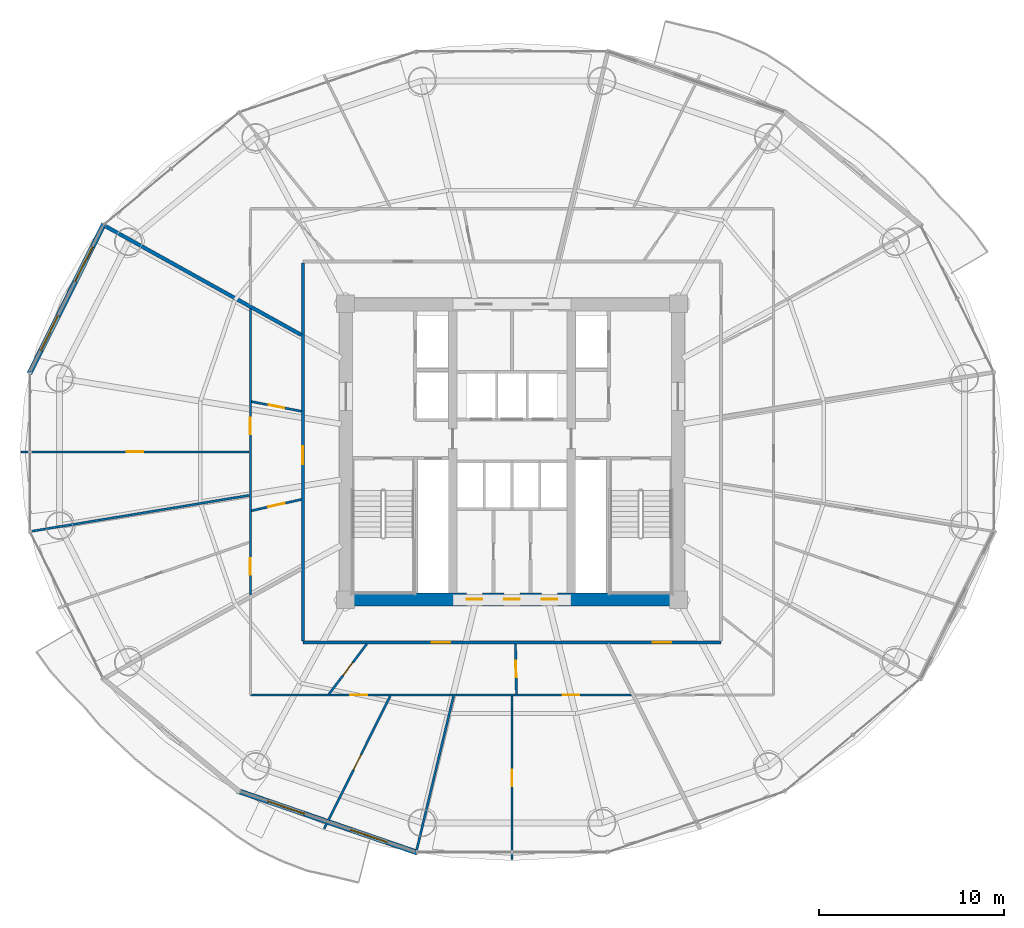
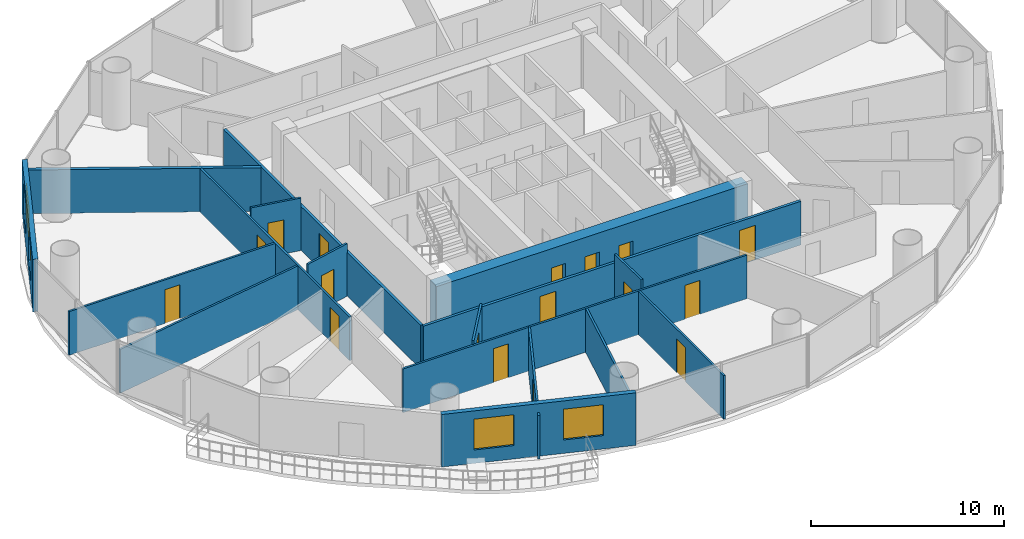
# One storey, part 21 of 28: 17 doors, 17 walls, 4 windows, 21 openings.
"""IFC4 building model written with IfcOpenShell, lengths in metres."""

from ifc_helpers import new_model, si_unit, direction, frame, frame_2d, origin, place, context, subcontext, project, spatial, rectangle, extrude, source, transform, mapped, material, layer, layer_set, type_object, element, fill, save


model = new_model("IFC4")

# Units and contexts
model_context = context("Model", 3, precision=1e-05, world=origin(), true_north=direction((-0.2419218956, 0.970295726276)))
body_context = subcontext(model_context, "Body", "Model", "MODEL_VIEW")
ifc_project = project(units=[si_unit("LENGTHUNIT", "METRE"), si_unit("AREAUNIT", "SQUARE_METRE"), si_unit("VOLUMEUNIT", "CUBIC_METRE"), si_unit("PLANEANGLEUNIT", "RADIAN"), si_unit("MASSUNIT", "GRAM", prefix="KILO")], contexts=[model_context])

# Site, building, storey
site_placement = place(None, origin())
site = spatial("IfcSite", under=ifc_project, at=site_placement, CompositionType="ELEMENT")
building_placement = place(site_placement, origin())
building = spatial("IfcBuilding", under=site, at=building_placement, Name="Cobrevalo Terracotta Tower", CompositionType="ELEMENT")
storey_placement = place(building_placement, frame((0.0, 0.0, 105.0)))
storey = spatial("IfcBuildingStorey", under=building, at=storey_placement, Name="L27", CompositionType="ELEMENT", Elevation=105.0)

# Wall, openings, doors
ifc_material_1 = material(Name="Concrete C60", Category="concrete")
ifc_layer_1 = layer(ifc_material_1, 0.699951171875)
ifc_layer_set_1 = layer_set([ifc_layer_1], Name="Concrete C60")
wall_type_1 = type_object("IfcWallType", Name="Core shear wall 700 mm Concrete C60", PredefinedType="SHEAR", material=ifc_layer_set_1)
wall_1_placement = place(storey_placement, frame((28.675048828125, 18.824951171875, 0.0), z_axis=(0.0, 0.0, 1.0), x_axis=(1.0, 0.0, 0.0)))
wall_1 = element("IfcWall", 1, at=wall_1_placement, inside=storey, type_object=wall_type_1, Name="L27 south core shear wall", PredefinedType="SHEAR", context=body_context, shape_type="SweptSolid", body=[
    extrude(rectangle(XDim=18.64990234375, YDim=0.699951171875, at=frame_2d((9.324951171875, 0.0))), origin(), (0.0, 0.0, 1.0), 3.324951171875),
])
opening_1_placement = place(wall_1_placement, frame((6.87744140625, 0.0, 0.0)))
opening_1 = element("IfcOpeningElement", 2, at=opening_1_placement, cuts=wall_1, Name="Opening ID-22", PredefinedType="OPENING", context=body_context, shape_type="SweptSolid", body=[
    extrude(rectangle(XDim=0.85009765625, YDim=2.10009765625, at=frame_2d((0.425048828125, 1.050048828125))), frame((0.0, 0.35986328125, 0.0), z_axis=(0.0, -1.0, 0.0), x_axis=(1.0, 0.0, 0.0)), (0.0, 0.0, 1.0), 0.719970703125),
])
opening_2_placement = place(wall_1_placement, frame((8.89990234375, 0.0, 0.0)))
opening_2 = element("IfcOpeningElement", 3, at=opening_2_placement, cuts=wall_1, Name="Opening ID-22", PredefinedType="OPENING", context=body_context, shape_type="SweptSolid", body=[
    extrude(rectangle(XDim=0.85009765625, YDim=2.10009765625, at=frame_2d((0.425048828125, 1.050048828125))), frame((0.0, 0.35986328125, 0.0), z_axis=(0.0, -1.0, 0.0), x_axis=(1.0, 0.0, 0.0)), (0.0, 0.0, 1.0), 0.719970703125),
])
opening_3_placement = place(wall_1_placement, frame((10.922607421875, 0.0, 0.0)))
opening_3 = element("IfcOpeningElement", 4, at=opening_3_placement, cuts=wall_1, Name="Opening ID-22", PredefinedType="OPENING", context=body_context, shape_type="SweptSolid", body=[
    extrude(rectangle(XDim=0.85009765625, YDim=2.10009765625, at=frame_2d((0.425048828125, 1.050048828125))), frame((0.0, 0.35986328125, 0.0), z_axis=(0.0, -1.0, 0.0), x_axis=(1.0, 0.0, 0.0)), (0.0, 0.0, 1.0), 0.719970703125),
])
ifc_material_2 = material(Name="Powder-coated steel", Category="steel")
door_type_1 = type_object("IfcDoorType", Name="Riser shaft & meter closet fire access door 850x2100 EI 60", OperationType="NOTDEFINED", PredefinedType="DOOR", material=ifc_material_2)
shared_shape_1 = source(origin(), body_context, "Body", "SweptSolid", [
    extrude(rectangle(XDim=0.85009765625, YDim=2.10009765625, at=frame_2d((0.425048828125, 1.050048828125))), frame((0.0, 0.02490234375, 0.0), z_axis=(0.0, -1.0, 0.0), x_axis=(1.0, 0.0, 0.0)), (0.0, 0.0, 1.0), 0.050048828125),
])
door_1_placement = place(opening_1_placement, origin())
door_1 = element("IfcDoor", 5, at=door_1_placement, inside=storey, type_object=door_type_1, Name="L27 core south plant door HVAC Supply Air Plant", OperationType="SINGLE_SWING_RIGHT", OverallHeight=2.10009765625, OverallWidth=0.85009765625, PredefinedType="DOOR", context=body_context, shape_type="MappedRepresentation", body=[
    mapped(shared_shape_1, transform((0.0, 0.0, 0.0), scale=1.0)),
])
fill(opening_1, door_1)
door_2_placement = place(opening_2_placement, origin())
door_2 = element("IfcDoor", 6, at=door_2_placement, inside=storey, type_object=door_type_1, Name="L27 core south plant door Refuse Chute Store Room", OperationType="SINGLE_SWING_RIGHT", OverallHeight=2.10009765625, OverallWidth=0.85009765625, PredefinedType="DOOR", context=body_context, shape_type="MappedRepresentation", body=[
    mapped(shared_shape_1, transform((0.0, 0.0, 0.0), scale=1.0)),
])
fill(opening_2, door_2)
door_3_placement = place(opening_3_placement, origin())
door_3 = element("IfcDoor", 7, at=door_3_placement, inside=storey, type_object=door_type_1, Name="L27 core south plant door Hydronic Pump Manifold Plant", OperationType="SINGLE_SWING_RIGHT", OverallHeight=2.10009765625, OverallWidth=0.85009765625, PredefinedType="DOOR", context=body_context, shape_type="MappedRepresentation", body=[
    mapped(shared_shape_1, transform((0.0, 0.0, 0.0), scale=1.0)),
])
fill(opening_3, door_3)

ifc_material_3 = material(Name="Gypsum board on steel stud", Category="steel")
ifc_layer_2 = layer(ifc_material_3, 0.159912109375)
ifc_layer_set_2 = layer_set([ifc_layer_2], Name="Gypsum board on steel stud")
wall_type_2 = type_object("IfcWallType", Name="Fire-rated corridor acoustic partition wall 160 mm", PredefinedType="PARTITIONING", material=ifc_layer_set_2)
wall_2_placement = place(storey_placement, frame((26.695068359375, 16.4951171875, 0.0), z_axis=(0.0, 0.0, 1.0), x_axis=(1.0, 0.0, 0.0)))
wall_2 = element("IfcWall", 8, at=wall_2_placement, inside=storey, type_object=wall_type_2, Name="L27 interior partition IW-L27-COR-S", PredefinedType="PARTITIONING", context=body_context, shape_type="SweptSolid", body=[
    extrude(rectangle(XDim=22.60986328125, YDim=0.159912109375, at=frame_2d((11.304931640625, 0.0))), origin(), (0.0, 0.0, 1.0), 2.76708984375),
])
opening_4_placement = place(wall_2_placement, frame((6.974365234375, 0.0, 0.0)))
opening_4 = element("IfcOpeningElement", 9, at=opening_4_placement, cuts=wall_2, Name="Opening ID-05", PredefinedType="OPENING", context=body_context, shape_type="SweptSolid", body=[
    extrude(rectangle(XDim=0.97998046875, YDim=2.199951171875, at=frame_2d((0.489990234375, 1.10009765625))), frame((0.0, 0.08984375, 0.0), z_axis=(0.0, -1.0, 0.0), x_axis=(1.0, 0.0, 0.0)), (0.0, 0.0, 1.0), 0.179931640625),
])
opening_5_placement = place(wall_2_placement, frame((18.922119140625, 0.0, 0.0)))
opening_5 = element("IfcOpeningElement", 10, at=opening_5_placement, cuts=wall_2, Name="Opening ID-05", PredefinedType="OPENING", context=body_context, shape_type="SweptSolid", body=[
    extrude(rectangle(XDim=0.97998046875, YDim=2.199951171875, at=frame_2d((0.489990234375, 1.10009765625))), frame((0.0, 0.08984375, 0.0), z_axis=(0.0, -1.0, 0.0), x_axis=(1.0, 0.0, 0.0)), (0.0, 0.0, 1.0), 0.179931640625),
])
ifc_material_4 = material(Name="Solid hardwood timber", Category="wood")
door_type_2 = type_object("IfcDoorType", Name="Residence entrance fire-rated acoustic timber door 980x2200 EI 60", OperationType="NOTDEFINED", PredefinedType="DOOR", material=ifc_material_4)
shared_shape_2 = source(origin(), body_context, "Body", "SweptSolid", [
    extrude(rectangle(XDim=0.97998046875, YDim=2.199951171875, at=frame_2d((0.489990234375, 1.10009765625))), frame((0.0, 0.02490234375, 0.0), z_axis=(0.0, -1.0, 0.0), x_axis=(1.0, 0.0, 0.0)), (0.0, 0.0, 1.0), 0.050048828125),
])
door_4_placement = place(opening_4_placement, frame((0.97998046875, 0.0, 0.0), z_axis=(0.0, 0.0, 1.0), x_axis=(-1.0, 0.0, 0.0)))
door_4 = element("IfcDoor", 11, at=door_4_placement, inside=storey, type_object=door_type_2, Name="Flat L27D fire-rated apartment entrance door", OperationType="SINGLE_SWING_RIGHT", OverallHeight=2.199951171875, OverallWidth=0.97998046875, PredefinedType="DOOR", context=body_context, shape_type="MappedRepresentation", body=[
    mapped(shared_shape_2, transform((0.0, 0.0, 0.0), scale=1.0)),
])
fill(opening_4, door_4)
door_5_placement = place(opening_5_placement, frame((0.97998046875, 0.0, 0.0), z_axis=(0.0, 0.0, 1.0), x_axis=(-1.0, 0.0, 0.0)))
door_5 = element("IfcDoor", 12, at=door_5_placement, inside=storey, type_object=door_type_2, Name="Flat L27E fire-rated apartment entrance door", OperationType="SINGLE_SWING_LEFT", OverallHeight=2.199951171875, OverallWidth=0.97998046875, PredefinedType="DOOR", context=body_context, shape_type="MappedRepresentation", body=[
    mapped(shared_shape_2, transform((0.0, 0.0, 0.0), scale=1.0)),
])
fill(opening_5, door_5)

# Wall, opening, door
wall_3_placement = place(storey_placement, frame((26.695068359375, 16.574951171875, 0.0), z_axis=(0.0, 0.0, 1.0), x_axis=(0.0, 1.0, 0.0)))
wall_3 = element("IfcWall", 13, at=wall_3_placement, inside=storey, type_object=wall_type_2, Name="L27 interior partition IW-L27-COR-W", PredefinedType="PARTITIONING", context=body_context, shape_type="SweptSolid", body=[
    extrude(rectangle(XDim=20.449951171875, YDim=0.159912109375, at=frame_2d((10.22509765625, 0.0))), origin(), (0.0, 0.0, 1.0), 2.76708984375),
])
opening_6_placement = place(wall_3_placement, frame((9.54736328125, 0.0, 0.0)))
opening_6 = element("IfcOpeningElement", 14, at=opening_6_placement, cuts=wall_3, Name="Opening ID-05", PredefinedType="OPENING", context=body_context, shape_type="SweptSolid", body=[
    extrude(rectangle(XDim=0.97998046875, YDim=2.199951171875, at=frame_2d((0.489990234375, 1.10009765625))), frame((0.0, 0.08984375, 0.0), z_axis=(0.0, -1.0, 0.0), x_axis=(1.0, 0.0, 0.0)), (0.0, 0.0, 1.0), 0.179931640625),
])
door_6_placement = place(opening_6_placement, origin())
door_6 = element("IfcDoor", 15, at=door_6_placement, inside=storey, type_object=door_type_2, Name="Flat L27C fire-rated apartment entrance door", OperationType="SINGLE_SWING_LEFT", OverallHeight=2.199951171875, OverallWidth=0.97998046875, PredefinedType="DOOR", context=body_context, shape_type="MappedRepresentation", body=[
    mapped(shared_shape_2, transform((0.0, 0.0, 0.0), scale=1.0)),
])
fill(opening_6, door_6)

# Wall
ifc_material_5 = material(Name="Autoclaved aerated concrete block", Category="concrete")
ifc_layer_3 = layer(ifc_material_5, 0.199951171875)
ifc_layer_set_3 = layer_set([ifc_layer_3], Name="Autoclaved aerated concrete block")
wall_type_3 = type_object("IfcWallType", Name="Fire-rated stair, shaft & demising masonry wall 200 mm", PredefinedType="PARTITIONING", material=ifc_layer_set_3)
wall_4_placement = place(storey_placement, frame((26.614990234375, 33.120361328125, 0.0), z_axis=(0.0, 0.0, 1.0), x_axis=(-0.874319192772, 0.485351366692, 0.0)))
element("IfcWall", 16, at=wall_4_placement, inside=storey, type_object=wall_type_3, Name="L27 interior partition IW-L27-DEM-3", PredefinedType="PARTITIONING", context=body_context, shape_type="SweptSolid", body=[
    extrude(rectangle(XDim=12.158447265625, YDim=0.199951171875, at=frame_2d((6.0791015625, 0.0))), origin(), (0.0, 0.0, 1.0), 2.76708984375),
])

# Wall, openings, windows
ifc_layer_4 = layer(ifc_material_5, 0.280029296875)
ifc_layer_set_4 = layer_set([ifc_layer_4], Name="Autoclaved aerated concrete block")
wall_type_4 = type_object("IfcWallType", Name="Insulated tower spandrel & pier wall 280 mm with terracotta rainscreen", PredefinedType="SOLIDWALL", material=ifc_layer_set_4)
wall_5_placement = place(storey_placement, frame((15.943603515625, 39.133056640625, 0.0), z_axis=(0.0, 0.0, 1.0), x_axis=(-0.446263788661, -0.894901464369, 0.0)))
wall_5 = element("IfcWall", 17, at=wall_5_placement, inside=storey, type_object=wall_type_4, Name="L27 terracotta rainscreen pier wall S07", PredefinedType="SOLIDWALL", context=body_context, shape_type="SweptSolid", body=[
    extrude(rectangle(XDim=9.05029296875, YDim=0.280029296875, at=frame_2d((4.525146484375, 0.0))), origin(), (0.0, 0.0, 1.0), 3.324951171875),
])
opening_7_placement = place(wall_5_placement, frame((1.3935546875, 0.0, 0.85009765625)))
opening_7 = element("IfcOpeningElement", 18, at=opening_7_placement, cuts=wall_5, Name="Opening WN-10", PredefinedType="OPENING", context=body_context, shape_type="SweptSolid", body=[
    extrude(rectangle(XDim=2.10009765625, YDim=1.949951171875, at=frame_2d((1.050048828125, 0.97509765625))), frame((0.0, 0.14990234375, 0.0), z_axis=(0.0, -1.0, 0.0), x_axis=(1.0, 0.0, 0.0)), (0.0, 0.0, 1.0), 0.300048828125),
])
opening_8_placement = place(wall_5_placement, frame((5.556640625, 0.0, 0.85009765625)))
opening_8 = element("IfcOpeningElement", 19, at=opening_8_placement, cuts=wall_5, Name="Opening WN-10", PredefinedType="OPENING", context=body_context, shape_type="SweptSolid", body=[
    extrude(rectangle(XDim=2.10009765625, YDim=1.949951171875, at=frame_2d((1.050048828125, 0.97509765625))), frame((0.0, 0.14990234375, 0.0), z_axis=(0.0, -1.0, 0.0), x_axis=(1.0, 0.0, 0.0)), (0.0, 0.0, 1.0), 0.300048828125),
])
ifc_material_6 = material(Name="Solar-control low-E double glazing", Category="glass")
window_type = type_object("IfcWindowType", Name="Wide panoramic low-E aluminium window 2100x1950", PartitioningType="SINGLE_PANEL", PredefinedType="WINDOW", material=ifc_material_6)
shared_shape_3 = source(origin(), body_context, "Body", "SweptSolid", [
    extrude(rectangle(XDim=2.10009765625, YDim=1.949951171875, at=frame_2d((1.050048828125, 0.97509765625))), frame((0.0, 0.030029296875, 0.0), z_axis=(0.0, -1.0, 0.0), x_axis=(1.0, 0.0, 0.0)), (0.0, 0.0, 1.0), 0.06005859375),
])
window_1_placement = place(opening_7_placement, origin())
window_1 = element("IfcWindow", 20, at=window_1_placement, inside=storey, type_object=window_type, Name="L27 suite window S07A", OverallHeight=1.949951171875, OverallWidth=2.10009765625, PartitioningType="SINGLE_PANEL", PredefinedType="WINDOW", context=body_context, shape_type="MappedRepresentation", body=[
    mapped(shared_shape_3, transform((0.0, 0.0, 0.0), scale=1.0)),
])
fill(opening_7, window_1)
window_2_placement = place(opening_8_placement, origin())
window_2 = element("IfcWindow", 21, at=window_2_placement, inside=storey, type_object=window_type, Name="L27 suite window S07B", OverallHeight=1.949951171875, OverallWidth=2.10009765625, PartitioningType="SINGLE_PANEL", PredefinedType="WINDOW", context=body_context, shape_type="MappedRepresentation", body=[
    mapped(shared_shape_3, transform((0.0, 0.0, 0.0), scale=1.0)),
])
fill(opening_8, window_2)

wall_6_placement = place(storey_placement, frame((23.162841796875, 8.4755859375, 0.0), z_axis=(0.0, 0.0, 1.0), x_axis=(0.945590132341, -0.325360264351, 0.0)))
wall_6 = element("IfcWall", 22, at=wall_6_placement, inside=storey, type_object=wall_type_4, Name="L27 terracotta rainscreen pier wall S11", PredefinedType="SOLIDWALL", context=body_context, shape_type="SweptSolid", body=[
    extrude(rectangle(XDim=10.2890625, YDim=0.280029296875, at=frame_2d((5.14453125, 0.0))), origin(), (0.0, 0.0, 1.0), 3.324951171875),
])
opening_9_placement = place(wall_6_placement, frame((1.72802734375, 0.0, 0.85009765625)))
opening_9 = element("IfcOpeningElement", 23, at=opening_9_placement, cuts=wall_6, Name="Opening WN-10", PredefinedType="OPENING", context=body_context, shape_type="SweptSolid", body=[
    extrude(rectangle(XDim=2.10009765625, YDim=1.949951171875, at=frame_2d((1.050048828125, 0.97509765625))), frame((0.0, 0.14990234375, 0.0), z_axis=(0.0, -1.0, 0.0), x_axis=(1.0, 0.0, 0.0)), (0.0, 0.0, 1.0), 0.300048828125),
])
opening_10_placement = place(wall_6_placement, frame((6.4609375, 0.0, 0.85009765625)))
opening_10 = element("IfcOpeningElement", 24, at=opening_10_placement, cuts=wall_6, Name="Opening WN-10", PredefinedType="OPENING", context=body_context, shape_type="SweptSolid", body=[
    extrude(rectangle(XDim=2.10009765625, YDim=1.949951171875, at=frame_2d((1.050048828125, 0.97509765625))), frame((0.0, 0.14990234375, 0.0), z_axis=(0.0, -1.0, 0.0), x_axis=(1.0, 0.0, 0.0)), (0.0, 0.0, 1.0), 0.300048828125),
])
window_3_placement = place(opening_9_placement, origin())
window_3 = element("IfcWindow", 25, at=window_3_placement, inside=storey, type_object=window_type, Name="L27 suite window S11A", OverallHeight=1.949951171875, OverallWidth=2.10009765625, PartitioningType="SINGLE_PANEL", PredefinedType="WINDOW", context=body_context, shape_type="MappedRepresentation", body=[
    mapped(shared_shape_3, transform((0.0, 0.0, 0.0), scale=1.0)),
])
fill(opening_9, window_3)
window_4_placement = place(opening_10_placement, origin())
window_4 = element("IfcWindow", 26, at=window_4_placement, inside=storey, type_object=window_type, Name="L27 suite window S11B", OverallHeight=1.949951171875, OverallWidth=2.10009765625, PartitioningType="SINGLE_PANEL", PredefinedType="WINDOW", context=body_context, shape_type="MappedRepresentation", body=[
    mapped(shared_shape_3, transform((0.0, 0.0, 0.0), scale=1.0)),
])
fill(opening_10, window_4)

# Wall, openings, doors
ifc_layer_5 = layer(ifc_material_3, 0.1201171875)
ifc_layer_set_5 = layer_set([ifc_layer_5], Name="Gypsum board on steel stud")
wall_type_5 = type_object("IfcWallType", Name="Residential internal acoustic stud partition 120 mm", PredefinedType="PARTITIONING", material=ifc_layer_set_5)
wall_7_placement = place(storey_placement, frame((23.85498046875, 19.049560546875, 0.0), z_axis=(0.0, 0.0, 1.0), x_axis=(0.0, 1.0, 0.0)))
wall_7 = element("IfcWall", 27, at=wall_7_placement, inside=storey, type_object=wall_type_5, Name="L27 interior partition IW-L27-U3-RING0_0", PredefinedType="PARTITIONING", context=body_context, shape_type="SweptSolid", body=[
    extrude(rectangle(XDim=15.5009765625, YDim=0.1201171875, at=frame_2d((7.75048828125, 0.0))), origin(), (0.0, 0.0, 1.0), 2.76708984375),
])
opening_11_placement = place(wall_7_placement, frame((8.704833984375, 0.0, 0.0)))
opening_11 = element("IfcOpeningElement", 28, at=opening_11_placement, cuts=wall_7, Name="Opening ID-12", PredefinedType="OPENING", context=body_context, shape_type="SweptSolid", body=[
    extrude(rectangle(XDim=0.89990234375, YDim=2.14990234375, at=frame_2d((0.449951171875, 1.074951171875))), frame((0.0, 0.070068359375, 0.0), z_axis=(0.0, -1.0, 0.0), x_axis=(1.0, 0.0, 0.0)), (0.0, 0.0, 1.0), 0.14013671875),
])
opening_12_placement = place(wall_7_placement, frame((1.111083984375, 0.0, 0.0)))
opening_12 = element("IfcOpeningElement", 29, at=opening_12_placement, cuts=wall_7, Name="Opening ID-12", PredefinedType="OPENING", context=body_context, shape_type="SweptSolid", body=[
    extrude(rectangle(XDim=0.89990234375, YDim=2.14990234375, at=frame_2d((0.449951171875, 1.074951171875))), frame((0.0, 0.070068359375, 0.0), z_axis=(0.0, -1.0, 0.0), x_axis=(1.0, 0.0, 0.0)), (0.0, 0.0, 1.0), 0.14013671875),
])
ifc_material_7 = material(Name="Engineered timber", Category="wood")
door_type_3 = type_object("IfcDoorType", Name="Internal residence & suite timber door 900x2150", OperationType="NOTDEFINED", PredefinedType="DOOR", material=ifc_material_7)
shared_shape_4 = source(origin(), body_context, "Body", "SweptSolid", [
    extrude(rectangle(XDim=0.89990234375, YDim=2.14990234375, at=frame_2d((0.449951171875, 1.074951171875))), frame((0.0, 0.02490234375, 0.0), z_axis=(0.0, -1.0, 0.0), x_axis=(1.0, 0.0, 0.0)), (0.0, 0.0, 1.0), 0.050048828125),
])
door_7_placement = place(opening_11_placement, origin())
door_7 = element("IfcDoor", 30, at=door_7_placement, inside=storey, type_object=door_type_3, Name="Flat L27C Penthouse Living and Dining Room internal door", OperationType="SINGLE_SWING_LEFT", OverallHeight=2.14990234375, OverallWidth=0.89990234375, PredefinedType="DOOR", context=body_context, shape_type="MappedRepresentation", body=[
    mapped(shared_shape_4, transform((0.0, 0.0, 0.0), scale=1.0)),
])
fill(opening_11, door_7)
door_8_placement = place(opening_12_placement, origin())
door_8 = element("IfcDoor", 31, at=door_8_placement, inside=storey, type_object=door_type_3, Name="Flat L27C Penthouse Family Lounge internal door", OperationType="SINGLE_SWING_LEFT", OverallHeight=2.14990234375, OverallWidth=0.89990234375, PredefinedType="DOOR", context=body_context, shape_type="MappedRepresentation", body=[
    mapped(shared_shape_4, transform((0.0, 0.0, 0.0), scale=1.0)),
])
fill(opening_12, door_8)

# Wall, opening, door
wall_8_placement = place(storey_placement, frame((23.79296875, 26.800048828125, 0.0), z_axis=(0.0, 0.0, 1.0), x_axis=(-1.0, 0.0, 0.0)))
wall_8 = element("IfcWall", 32, at=wall_8_placement, inside=storey, type_object=wall_type_5, Name="L27 interior partition IW-L27-U3-ORAD1", PredefinedType="PARTITIONING", context=body_context, shape_type="SweptSolid", body=[
    extrude(rectangle(XDim=12.3330078125, YDim=0.1201171875, at=frame_2d((6.16650390625, 0.0))), origin(), (0.0, 0.0, 1.0), 2.76708984375),
])
opening_13_placement = place(wall_8_placement, frame((5.716552734375, 0.0, 0.0)))
opening_13 = element("IfcOpeningElement", 33, at=opening_13_placement, cuts=wall_8, Name="Opening ID-12", PredefinedType="OPENING", context=body_context, shape_type="SweptSolid", body=[
    extrude(rectangle(XDim=0.89990234375, YDim=2.14990234375, at=frame_2d((0.449951171875, 1.074951171875))), frame((0.0, 0.070068359375, 0.0), z_axis=(0.0, -1.0, 0.0), x_axis=(1.0, 0.0, 0.0)), (0.0, 0.0, 1.0), 0.14013671875),
])
door_9_placement = place(opening_13_placement, origin())
door_9 = element("IfcDoor", 34, at=door_9_placement, inside=storey, type_object=door_type_3, Name="Flat L27C Master Bedroom internal door", OperationType="SINGLE_SWING_RIGHT", OverallHeight=2.14990234375, OverallWidth=0.89990234375, PredefinedType="DOOR", context=body_context, shape_type="MappedRepresentation", body=[
    mapped(shared_shape_4, transform((0.0, 0.0, 0.0), scale=1.0)),
])
fill(opening_13, door_9)

# Wall
wall_9_placement = place(storey_placement, frame((23.7939453125, 24.4521484375, 0.0), z_axis=(0.0, 0.0, 1.0), x_axis=(-0.986620350945, -0.163034607068, 0.0)))
element("IfcWall", 35, at=wall_9_placement, inside=storey, type_object=wall_type_5, Name="L27 interior partition IW-L27-U3-ORAD2", PredefinedType="PARTITIONING", context=body_context, shape_type="SweptSolid", body=[
    extrude(rectangle(XDim=11.927490234375, YDim=0.1201171875, at=frame_2d((5.9638671875, 0.0))), origin(), (0.0, 0.0, 1.0), 2.76708984375),
])

# Wall, opening, door
wall_10_placement = place(storey_placement, frame((26.614990234375, 28.996337890625, 0.0), z_axis=(0.0, 0.0, 1.0), x_axis=(-0.98189351628, 0.18943368942, 0.0)))
wall_10 = element("IfcWall", 36, at=wall_10_placement, inside=storey, type_object=wall_type_5, Name="L27 interior partition IW-L27-U3-IRAD1", PredefinedType="PARTITIONING", context=body_context, shape_type="SweptSolid", body=[
    extrude(rectangle(XDim=2.7490234375, YDim=0.1201171875, at=frame_2d((1.37451171875, 0.0))), origin(), (0.0, 0.0, 1.0), 3.324951171875),
])
opening_14_placement = place(wall_10_placement, frame((0.9443359375, 0.0, 0.0)))
opening_14 = element("IfcOpeningElement", 37, at=opening_14_placement, cuts=wall_10, Name="Opening ID-19", PredefinedType="OPENING", context=body_context, shape_type="SweptSolid", body=[
    extrude(rectangle(XDim=0.860107421875, YDim=2.14990234375, at=frame_2d((0.43017578125, 1.074951171875))), frame((0.0, 0.070068359375, 0.0), z_axis=(0.0, -1.0, 0.0), x_axis=(1.0, 0.0, 0.0)), (0.0, 0.0, 1.0), 0.14013671875),
])
ifc_material_8 = material(Name="Moisture-sealed timber", Category="wood")
door_type_4 = type_object("IfcDoorType", Name="Suite bathroom internal timber door 860x2150", OperationType="NOTDEFINED", PredefinedType="DOOR", material=ifc_material_8)
shared_shape_5 = source(origin(), body_context, "Body", "SweptSolid", [
    extrude(rectangle(XDim=0.860107421875, YDim=2.14990234375, at=frame_2d((0.43017578125, 1.074951171875))), frame((0.0, 0.02490234375, 0.0), z_axis=(0.0, -1.0, 0.0), x_axis=(1.0, 0.0, 0.0)), (0.0, 0.0, 1.0), 0.050048828125),
])
door_10_placement = place(opening_14_placement, frame((0.860107421875, 0.0, 0.0), z_axis=(0.0, 0.0, 1.0), x_axis=(-1.0, 0.0, 0.0)))
door_10 = element("IfcDoor", 38, at=door_10_placement, inside=storey, type_object=door_type_4, Name="Flat L27C Primary Bathroom internal door", OperationType="SINGLE_SWING_RIGHT", OverallHeight=2.14990234375, OverallWidth=0.860107421875, PredefinedType="DOOR", context=body_context, shape_type="MappedRepresentation", body=[
    mapped(shared_shape_5, transform((0.0, 0.0, 0.0), scale=1.0)),
])
fill(opening_14, door_10)

wall_11_placement = place(storey_placement, frame((26.614990234375, 24.22802734375, 0.0), z_axis=(0.0, 0.0, 1.0), x_axis=(-0.975417151515, -0.220366468706, 0.0)))
wall_11 = element("IfcWall", 39, at=wall_11_placement, inside=storey, type_object=wall_type_5, Name="L27 interior partition IW-L27-U3-IRAD2", PredefinedType="PARTITIONING", context=body_context, shape_type="SweptSolid", body=[
    extrude(rectangle(XDim=2.767578125, YDim=0.1201171875, at=frame_2d((1.3837890625, 0.0))), origin(), (0.0, 0.0, 1.0), 3.324951171875),
])
opening_15_placement = place(wall_11_placement, frame((0.933837890625, 0.0, 0.0)))
opening_15 = element("IfcOpeningElement", 40, at=opening_15_placement, cuts=wall_11, Name="Opening ID-12", PredefinedType="OPENING", context=body_context, shape_type="SweptSolid", body=[
    extrude(rectangle(XDim=0.89990234375, YDim=2.14990234375, at=frame_2d((0.449951171875, 1.074951171875))), frame((0.0, 0.070068359375, 0.0), z_axis=(0.0, -1.0, 0.0), x_axis=(1.0, 0.0, 0.0)), (0.0, 0.0, 1.0), 0.14013671875),
])
door_11_placement = place(opening_15_placement, origin())
door_11 = element("IfcDoor", 41, at=door_11_placement, inside=storey, type_object=door_type_3, Name="Flat L27C Kitchen internal door", OperationType="SINGLE_SWING_RIGHT", OverallHeight=2.14990234375, OverallWidth=0.89990234375, PredefinedType="DOOR", context=body_context, shape_type="MappedRepresentation", body=[
    mapped(shared_shape_4, transform((0.0, 0.0, 0.0), scale=1.0)),
])
fill(opening_15, door_11)

# Wall, openings, doors
wall_12_placement = place(storey_placement, frame((44.451416015625, 13.655029296875, 0.0), z_axis=(0.0, 0.0, 1.0), x_axis=(-1.0, 0.0, 0.0)))
wall_12 = element("IfcWall", 42, at=wall_12_placement, inside=storey, type_object=wall_type_5, Name="L27 interior partition IW-L27-U4-RING0_0", PredefinedType="PARTITIONING", context=body_context, shape_type="SweptSolid", body=[
    extrude(rectangle(XDim=20.596435546875, YDim=0.1201171875, at=frame_2d((10.29833984375, 0.0))), origin(), (0.0, 0.0, 1.0), 2.76708984375),
])
opening_16_placement = place(wall_12_placement, frame((14.28564453125, 0.0, 0.0)))
opening_16 = element("IfcOpeningElement", 43, at=opening_16_placement, cuts=wall_12, Name="Opening ID-12", PredefinedType="OPENING", context=body_context, shape_type="SweptSolid", body=[
    extrude(rectangle(XDim=0.89990234375, YDim=2.14990234375, at=frame_2d((0.449951171875, 1.074951171875))), frame((0.0, 0.070068359375, 0.0), z_axis=(0.0, -1.0, 0.0), x_axis=(1.0, 0.0, 0.0)), (0.0, 0.0, 1.0), 0.14013671875),
])
opening_17_placement = place(wall_12_placement, frame((2.8154296875, 0.0, 0.0)))
opening_17 = element("IfcOpeningElement", 44, at=opening_17_placement, cuts=wall_12, Name="Opening ID-12", PredefinedType="OPENING", context=body_context, shape_type="SweptSolid", body=[
    extrude(rectangle(XDim=0.89990234375, YDim=2.14990234375, at=frame_2d((0.449951171875, 1.074951171875))), frame((0.0, 0.070068359375, 0.0), z_axis=(0.0, -1.0, 0.0), x_axis=(1.0, 0.0, 0.0)), (0.0, 0.0, 1.0), 0.14013671875),
])
door_12_placement = place(opening_16_placement, origin())
door_12 = element("IfcDoor", 45, at=door_12_placement, inside=storey, type_object=door_type_3, Name="Flat L27D Living and Dining Room internal door", OperationType="SINGLE_SWING_RIGHT", OverallHeight=2.14990234375, OverallWidth=0.89990234375, PredefinedType="DOOR", context=body_context, shape_type="MappedRepresentation", body=[
    mapped(shared_shape_4, transform((0.0, 0.0, 0.0), scale=1.0)),
])
fill(opening_16, door_12)
door_13_placement = place(opening_17_placement, origin())
door_13 = element("IfcDoor", 46, at=door_13_placement, inside=storey, type_object=door_type_3, Name="Flat L27D Penthouse Family Lounge internal door", OperationType="SINGLE_SWING_RIGHT", OverallHeight=2.14990234375, OverallWidth=0.89990234375, PredefinedType="DOOR", context=body_context, shape_type="MappedRepresentation", body=[
    mapped(shared_shape_4, transform((0.0, 0.0, 0.0), scale=1.0)),
])
fill(opening_17, door_13)

# Wall, opening, door
wall_13_placement = place(storey_placement, frame((31.4189453125, 13.599609375, 0.0), z_axis=(0.0, 0.0, 1.0), x_axis=(-0.446188142997, -0.894939182877, 0.0)))
wall_13 = element("IfcWall", 47, at=wall_13_placement, inside=storey, type_object=wall_type_5, Name="L27 interior partition IW-L27-U4-ORAD1", PredefinedType="PARTITIONING", context=body_context, shape_type="SweptSolid", body=[
    extrude(rectangle(XDim=8.001708984375, YDim=0.1201171875, at=frame_2d((4.0009765625, 0.0))), origin(), (0.0, 0.0, 1.0), 2.76708984375),
])
opening_18_placement = place(wall_13_placement, frame((3.55078125, 0.0, 0.0)))
opening_18 = element("IfcOpeningElement", 48, at=opening_18_placement, cuts=wall_13, Name="Opening ID-12", PredefinedType="OPENING", context=body_context, shape_type="SweptSolid", body=[
    extrude(rectangle(XDim=0.89990234375, YDim=2.14990234375, at=frame_2d((0.449951171875, 1.074951171875))), frame((0.0, 0.070068359375, 0.0), z_axis=(0.0, -1.0, 0.0), x_axis=(1.0, 0.0, 0.0)), (0.0, 0.0, 1.0), 0.14013671875),
])
door_14_placement = place(opening_18_placement, origin())
door_14 = element("IfcDoor", 49, at=door_14_placement, inside=storey, type_object=door_type_3, Name="Flat L27D Master Bedroom internal door", OperationType="SINGLE_SWING_LEFT", OverallHeight=2.14990234375, OverallWidth=0.89990234375, PredefinedType="DOOR", context=body_context, shape_type="MappedRepresentation", body=[
    mapped(shared_shape_4, transform((0.0, 0.0, 0.0), scale=1.0)),
])
fill(opening_18, door_14)

# Wall
wall_14_placement = place(storey_placement, frame((34.83837890625, 13.5947265625, 0.0), z_axis=(0.0, 0.0, 1.0), x_axis=(-0.232820082337, -0.972519824611, 0.0)))
element("IfcWall", 50, at=wall_14_placement, inside=storey, type_object=wall_type_5, Name="L27 interior partition IW-L27-U4-ORAD2M1", PredefinedType="PARTITIONING", context=body_context, shape_type="SweptSolid", body=[
    extrude(rectangle(XDim=8.601806640625, YDim=0.1201171875, at=frame_2d((4.30078125, 0.0))), origin(), (0.0, 0.0, 1.0), 2.76708984375),
])

# Wall, opening, door
wall_15_placement = place(storey_placement, frame((38.0, 13.593017578125, 0.0), z_axis=(0.0, 0.0, 1.0), x_axis=(0.0, -1.0, 0.0)))
wall_15 = element("IfcWall", 51, at=wall_15_placement, inside=storey, type_object=wall_type_5, Name="L27 interior partition IW-L27-U4-ORAD2", PredefinedType="PARTITIONING", context=body_context, shape_type="SweptSolid", body=[
    extrude(rectangle(XDim=8.8330078125, YDim=0.1201171875, at=frame_2d((4.41650390625, 0.0))), origin(), (0.0, 0.0, 1.0), 2.76708984375),
])
opening_19_placement = place(wall_15_placement, frame((3.966552734375, 0.0, 0.0)))
opening_19 = element("IfcOpeningElement", 52, at=opening_19_placement, cuts=wall_15, Name="Opening ID-12", PredefinedType="OPENING", context=body_context, shape_type="SweptSolid", body=[
    extrude(rectangle(XDim=0.89990234375, YDim=2.14990234375, at=frame_2d((0.449951171875, 1.074951171875))), frame((0.0, 0.070068359375, 0.0), z_axis=(0.0, -1.0, 0.0), x_axis=(1.0, 0.0, 0.0)), (0.0, 0.0, 1.0), 0.14013671875),
])
door_15_placement = place(opening_19_placement, frame((0.89990234375, 0.0, 0.0), z_axis=(0.0, 0.0, 1.0), x_axis=(-1.0, 0.0, 0.0)))
door_15 = element("IfcDoor", 53, at=door_15_placement, inside=storey, type_object=door_type_3, Name="Flat L27D Principal Guest Bedroom internal door", OperationType="SINGLE_SWING_RIGHT", OverallHeight=2.14990234375, OverallWidth=0.89990234375, PredefinedType="DOOR", context=body_context, shape_type="MappedRepresentation", body=[
    mapped(shared_shape_4, transform((0.0, 0.0, 0.0), scale=1.0)),
])
fill(opening_19, door_15)

wall_16_placement = place(storey_placement, frame((30.151123046875, 16.4150390625, 0.0), z_axis=(0.0, 0.0, 1.0), x_axis=(-0.602927617913, -0.79779589342, 0.0)))
wall_16 = element("IfcWall", 54, at=wall_16_placement, inside=storey, type_object=wall_type_5, Name="L27 interior partition IW-L27-U4-IRAD1", PredefinedType="PARTITIONING", context=body_context, shape_type="SweptSolid", body=[
    extrude(rectangle(XDim=3.397705078125, YDim=0.1201171875, at=frame_2d((1.69873046875, 0.0))), origin(), (0.0, 0.0, 1.0), 3.00390625),
])
opening_20_placement = place(wall_16_placement, frame((1.268798828125, 0.0, 0.0)))
opening_20 = element("IfcOpeningElement", 55, at=opening_20_placement, cuts=wall_16, Name="Opening ID-19", PredefinedType="OPENING", context=body_context, shape_type="SweptSolid", body=[
    extrude(rectangle(XDim=0.860107421875, YDim=2.14990234375, at=frame_2d((0.43017578125, 1.074951171875))), frame((0.0, 0.070068359375, 0.0), z_axis=(0.0, -1.0, 0.0), x_axis=(1.0, 0.0, 0.0)), (0.0, 0.0, 1.0), 0.14013671875),
])
door_16_placement = place(opening_20_placement, frame((0.860107421875, 0.0, 0.0), z_axis=(0.0, 0.0, 1.0), x_axis=(-1.0, 0.0, 0.0)))
door_16 = element("IfcDoor", 56, at=door_16_placement, inside=storey, type_object=door_type_4, Name="Flat L27D Primary Bathroom internal door", OperationType="SINGLE_SWING_LEFT", OverallHeight=2.14990234375, OverallWidth=0.860107421875, PredefinedType="DOOR", context=body_context, shape_type="MappedRepresentation", body=[
    mapped(shared_shape_5, transform((0.0, 0.0, 0.0), scale=1.0)),
])
fill(opening_20, door_16)

wall_17_placement = place(storey_placement, frame((38.190185546875, 16.4150390625, 0.0), z_axis=(0.0, 0.0, 1.0), x_axis=(0.018275835903, -0.999832982964, 0.0)))
wall_17 = element("IfcWall", 57, at=wall_17_placement, inside=storey, type_object=wall_type_5, Name="L27 interior partition IW-L27-U4-IRAD2", PredefinedType="PARTITIONING", context=body_context, shape_type="SweptSolid", body=[
    extrude(rectangle(XDim=2.698486328125, YDim=0.1201171875, at=frame_2d((1.34912109375, 0.0))), origin(), (0.0, 0.0, 1.0), 3.324951171875),
])
opening_21_placement = place(wall_17_placement, frame((0.899169921875, 0.0, 0.0)))
opening_21 = element("IfcOpeningElement", 58, at=opening_21_placement, cuts=wall_17, Name="Opening ID-12", PredefinedType="OPENING", context=body_context, shape_type="SweptSolid", body=[
    extrude(rectangle(XDim=0.89990234375, YDim=2.14990234375, at=frame_2d((0.449951171875, 1.074951171875))), frame((0.0, 0.070068359375, 0.0), z_axis=(0.0, -1.0, 0.0), x_axis=(1.0, 0.0, 0.0)), (0.0, 0.0, 1.0), 0.14013671875),
])
door_17_placement = place(opening_21_placement, origin())
door_17 = element("IfcDoor", 59, at=door_17_placement, inside=storey, type_object=door_type_3, Name="Flat L27D Kitchen internal door", OperationType="SINGLE_SWING_LEFT", OverallHeight=2.14990234375, OverallWidth=0.89990234375, PredefinedType="DOOR", context=body_context, shape_type="MappedRepresentation", body=[
    mapped(shared_shape_4, transform((0.0, 0.0, 0.0), scale=1.0)),
])
fill(opening_21, door_17)

save(model, "model.ifc")
